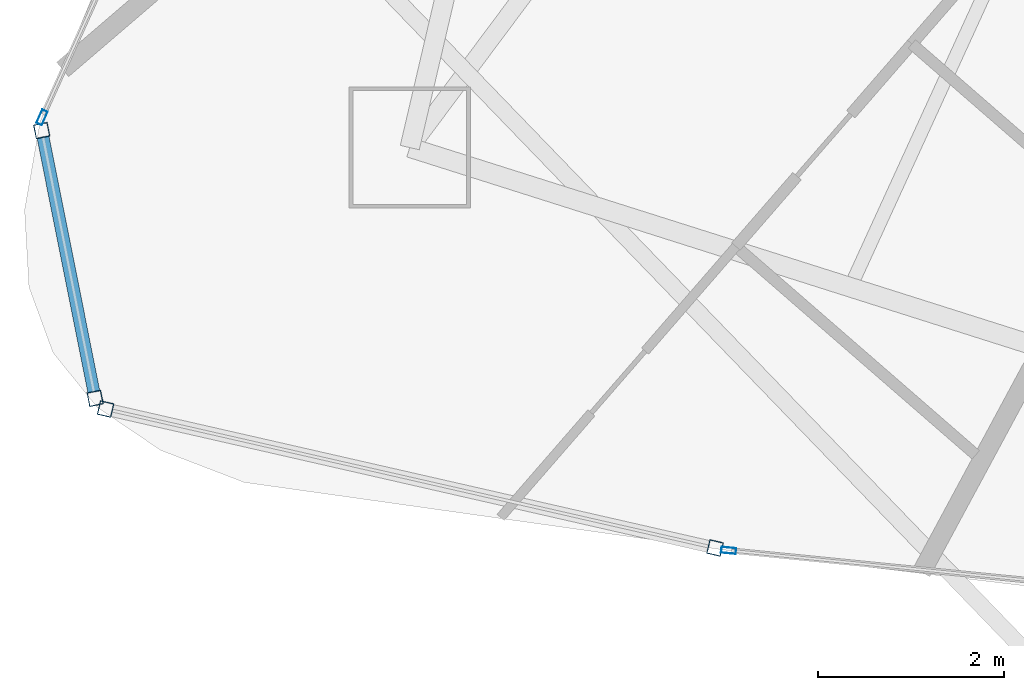
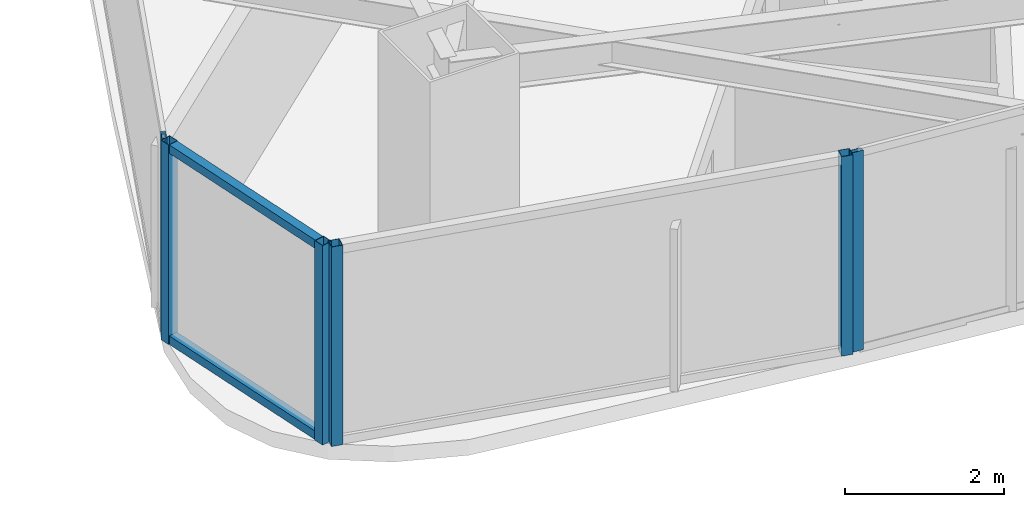
# One storey, part 2 of 30: 8 members, 4 elements without a shape of their own.
"""IFC4 building model written with IfcOpenShell, lengths in metres."""

from ifc_helpers import new_model, si_unit, direction, frame, origin, origin_2d, place, context, subcontext, project, spatial, hollow_rectangle, extrude, material, layer, layer_set, material_profile, profile_set, type_object, element, aggregate, save


model = new_model("IFC4")

# Units and contexts
model_context = context("Model", 3, precision=1e-05, world=origin(), true_north=direction((0.0, 1.0)))
body_context = subcontext(model_context, "Body", "Model", "MODEL_VIEW")
ifc_project = project(units=[si_unit("LENGTHUNIT", "METRE"), si_unit("AREAUNIT", "SQUARE_METRE"), si_unit("VOLUMEUNIT", "CUBIC_METRE"), si_unit("PLANEANGLEUNIT", "RADIAN"), si_unit("MASSUNIT", "GRAM", prefix="KILO")], contexts=[model_context])

# Site, building, storey
site_placement = place(None, origin())
site = spatial("IfcSite", under=ifc_project, at=site_placement, CompositionType="ELEMENT")
building_placement = place(site_placement, origin())
building = spatial("IfcBuilding", under=site, at=building_placement, Name="Orvanel Arch Residences", CompositionType="ELEMENT")
storey_placement = place(building_placement, frame((0.0, 0.0, 229.39990234375)))
storey = spatial("IfcBuildingStorey", under=building, at=storey_placement, Name="L65", CompositionType="ELEMENT", Elevation=229.39990234375)

# Curtain wall, members
ifc_material = material(Name="Bronze-anodised aluminium AA6063-T6", Category="aluminium")
ifc_layer_1 = layer(ifc_material, 0.18994140625)
ifc_layer_set_1 = layer_set([ifc_layer_1], Name="Bronze-anodised aluminium AA6063-T6")
curtain_wall_type_1 = type_object("IfcCurtainWallType", Name="CW5-CRN-SYS", PredefinedType="NOTDEFINED", material=ifc_layer_set_1)
curtain_wall_1_placement = place(storey_placement, origin())
curtain_wall_1 = element("IfcCurtainWall", 1, at=curtain_wall_1_placement, inside=storey, type_object=curtain_wall_type_1, Name="L65 CW5-CRN-SYS Unitised Curtain Wall", PredefinedType="NOTDEFINED")
ifc_material_profile_1 = material_profile(ifc_material, hollow_rectangle(XDim=0.14990234375, YDim=0.14990234375, WallThickness=0.0048828125, at=origin_2d()), Name="ALU150x150x5")
ifc_profile_set_1 = profile_set([ifc_material_profile_1], Name="Bronze-anodised aluminium AA6063-T6")
member_type_1 = type_object("IfcMemberType", Name="MUL-150x150", PredefinedType="MULLION", material=ifc_profile_set_1)
member_1_placement = place(storey_placement, frame((10.250732421875, 10.533447265625, 0.0), z_axis=(0.0, 0.0, 1.0), x_axis=(0.980643071416, 0.195803898032, 0.0)))
member_1 = element("IfcMember", 2, at=member_1_placement, type_object=member_type_1, Name="CW-S5 mullion 1", PredefinedType="MULLION", context=body_context, shape_type="SweptSolid", body=[
    extrude(hollow_rectangle(XDim=0.14990234375, YDim=0.14990234375, WallThickness=0.0048828125, at=origin_2d()), origin(), (0.0, 0.0, 1.0), 3.06005859375),
])
member_2_placement = place(storey_placement, frame((10.82421875, 7.66064453125, 0.0), z_axis=(0.0, 0.0, 1.0), x_axis=(0.980643071416, 0.195803898032, 0.0)))
member_2 = element("IfcMember", 3, at=member_2_placement, type_object=member_type_1, Name="CW-S5 mullion 2", PredefinedType="MULLION", context=body_context, shape_type="SweptSolid", body=[
    extrude(hollow_rectangle(XDim=0.14990234375, YDim=0.14990234375, WallThickness=0.0048828125, at=origin_2d()), origin(), (0.0, 0.0, 1.0), 3.06005859375),
])

curtain_wall_2_placement = place(storey_placement, origin())
curtain_wall_2 = element("IfcCurtainWall", 4, at=curtain_wall_2_placement, inside=storey, type_object=curtain_wall_type_1, Name="L65 CW5-CRN-SYS Unitised Curtain Wall", PredefinedType="NOTDEFINED")
member_3_placement = place(storey_placement, frame((10.93603515625, 7.54638671875, 0.0), z_axis=(0.0, 0.0, 1.0), x_axis=(0.222301955264, 0.974977866767, 0.0)))
member_3 = element("IfcMember", 5, at=member_3_placement, type_object=member_type_1, Name="CW-S5 mullion 1", PredefinedType="MULLION", context=body_context, shape_type="SweptSolid", body=[
    extrude(hollow_rectangle(XDim=0.14990234375, YDim=0.14990234375, WallThickness=0.0048828125, at=origin_2d()), origin(), (0.0, 0.0, 1.0), 3.06005859375),
])
member_4_placement = place(storey_placement, frame((17.473876953125, 6.0556640625, 0.0), z_axis=(0.0, 0.0, 1.0), x_axis=(0.222301955264, 0.974977866767, 0.0)))
member_4 = element("IfcMember", 6, at=member_4_placement, type_object=member_type_1, Name="CW-S5 mullion 2", PredefinedType="MULLION", context=body_context, shape_type="SweptSolid", body=[
    extrude(hollow_rectangle(XDim=0.14990234375, YDim=0.14990234375, WallThickness=0.0048828125, at=origin_2d()), origin(), (0.0, 0.0, 1.0), 3.06005859375),
])
aggregate(curtain_wall_2, [member_3, member_4])

# Curtain wall, member
ifc_layer_2 = layer(ifc_material, 0.175048828125)
ifc_layer_set_2 = layer_set([ifc_layer_2], Name="Bronze-anodised aluminium AA6063-T6")
curtain_wall_type_2 = type_object("IfcCurtainWallType", Name="CW4-HI-SYS", PredefinedType="NOTDEFINED", material=ifc_layer_set_2)
curtain_wall_3_placement = place(storey_placement, origin())
curtain_wall_3 = element("IfcCurtainWall", 7, at=curtain_wall_3_placement, inside=storey, type_object=curtain_wall_type_2, Name="L65 CW4-HI-SYS Unitised Curtain Wall", PredefinedType="NOTDEFINED")
ifc_material_profile_2 = material_profile(ifc_material, hollow_rectangle(XDim=0.06494140625, YDim=0.159912109375, WallThickness=0.00390625, at=origin_2d()), Name="ALU160x65x4")
ifc_profile_set_2 = profile_set([ifc_material_profile_2], Name="Bronze-anodised aluminium AA6063-T6")
member_type_2 = type_object("IfcMemberType", Name="MUL-160x65", PredefinedType="MULLION", material=ifc_profile_set_2)
member_5_placement = place(storey_placement, frame((10.25341796875, 10.674560546875, 0.0), z_axis=(0.0, 0.0, 1.0), x_axis=(0.911577429328, -0.411128435335, 0.0)))
member_5 = element("IfcMember", 8, at=member_5_placement, type_object=member_type_2, Name="CW-S4 mullion 3", PredefinedType="MULLION", context=body_context, shape_type="SweptSolid", body=[
    extrude(hollow_rectangle(XDim=0.06494140625, YDim=0.159912109375, WallThickness=0.00390625, at=origin_2d()), origin(), (0.0, 0.0, 1.0), 3.06005859375),
])
aggregate(curtain_wall_3, [member_5])

curtain_wall_4_placement = place(storey_placement, origin())
curtain_wall_4 = element("IfcCurtainWall", 9, at=curtain_wall_4_placement, inside=storey, type_object=curtain_wall_type_2, Name="L65 CW4-HI-SYS Unitised Curtain Wall", PredefinedType="NOTDEFINED")
member_6_placement = place(storey_placement, frame((17.619384765625, 6.02978515625, 0.0), z_axis=(0.0, 0.0, 1.0), x_axis=(0.099032673027, 0.995084182204, 0.0)))
member_6 = element("IfcMember", 10, at=member_6_placement, type_object=member_type_2, Name="CW-S4 mullion 1", PredefinedType="MULLION", context=body_context, shape_type="SweptSolid", body=[
    extrude(hollow_rectangle(XDim=0.06494140625, YDim=0.159912109375, WallThickness=0.00390625, at=origin_2d()), origin(), (0.0, 0.0, 1.0), 3.06005859375),
])
aggregate(curtain_wall_4, [member_6])

# Member
ifc_material_profile_3 = material_profile(ifc_material, hollow_rectangle(XDim=0.1298828125, YDim=0.1298828125, WallThickness=0.00439453125, at=origin_2d()), Name="ALU130x130x4.5")
ifc_profile_set_3 = profile_set([ifc_material_profile_3], Name="Bronze-anodised aluminium AA6063-T6")
member_type_3 = type_object("IfcMemberType", Name="TRN-130x130", PredefinedType="USERDEFINED", material=ifc_profile_set_3)
member_7_placement = place(storey_placement, frame((10.265380859375, 10.4599609375, 0.065185546875), z_axis=(0.195778306772, -0.980648180847, 0.0), x_axis=(0.980648180847, 0.195778306772, 0.0)))
member_7 = element("IfcMember", 11, at=member_7_placement, type_object=member_type_3, Name="CW-S5 transom 1.1", ObjectType="TRANSOM", PredefinedType="USERDEFINED", context=body_context, shape_type="SweptSolid", body=[
    extrude(hollow_rectangle(XDim=0.1298828125, YDim=0.1298828125, WallThickness=0.00439453125, at=origin_2d()), origin(), (0.0, 0.0, 1.0), 2.779541015625),
])

member_8_placement = place(storey_placement, frame((10.265380859375, 10.4599609375, 2.9951171875), z_axis=(0.195778306772, -0.980648180847, 0.0), x_axis=(0.980648180847, 0.195778306772, 0.0)))
member_8 = element("IfcMember", 12, at=member_8_placement, type_object=member_type_3, Name="CW-S5 transom 1.2", ObjectType="TRANSOM", PredefinedType="USERDEFINED", context=body_context, shape_type="SweptSolid", body=[
    extrude(hollow_rectangle(XDim=0.1298828125, YDim=0.1298828125, WallThickness=0.00439453125, at=origin_2d()), origin(), (0.0, 0.0, 1.0), 2.779541015625),
])

aggregate(curtain_wall_1, [member_1, member_2, member_7, member_8])

save(model, "model.ifc")
